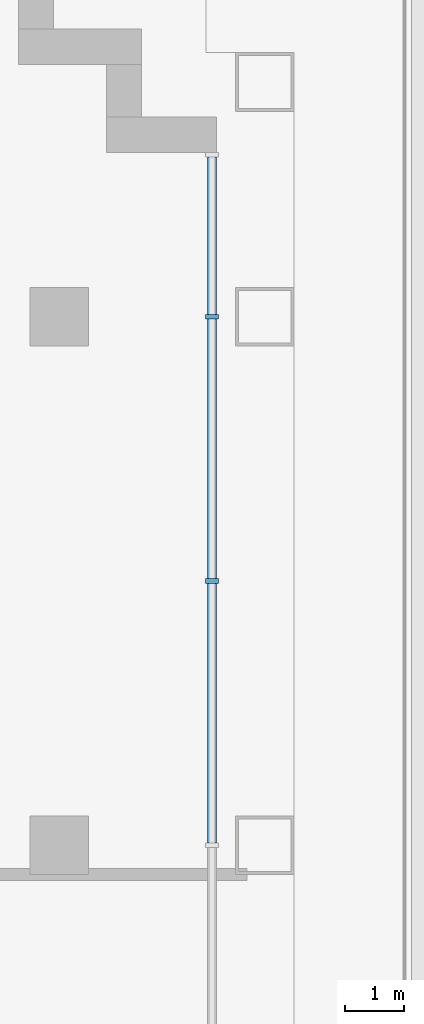
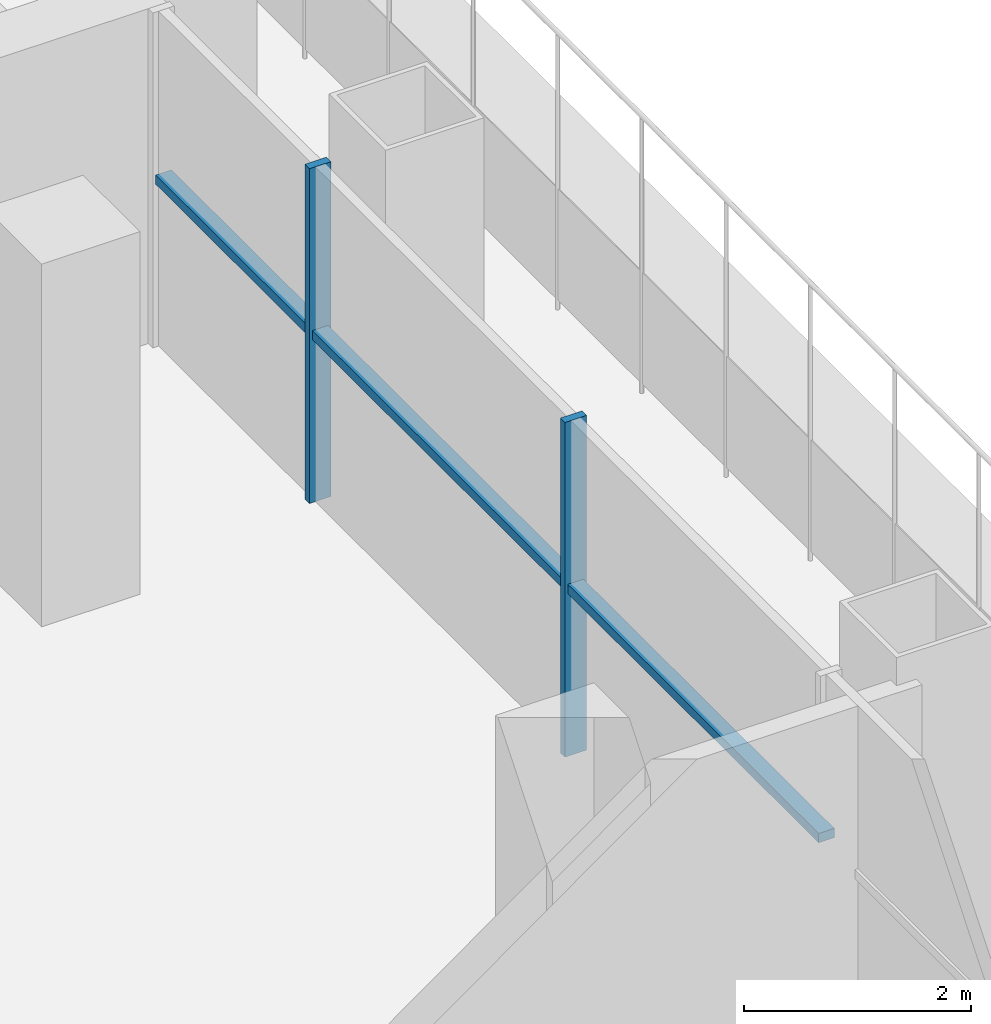
# One storey, part 5 of 16: 5 members, 1 element without a shape of its own.
"""IFC4 building model written with IfcOpenShell, lengths in metres."""

from ifc_helpers import new_model, si_unit, direction, frame, origin, origin_2d, place, context, subcontext, project, spatial, rectangle, extrude, material, material_profile, profile_set, type_object, element, aggregate, save


model = new_model("IFC4")

# Units and contexts
model_context = context("Model", 3, precision=1e-05, world=origin(), true_north=direction((0.0, 1.0)))
body_context = subcontext(model_context, "Body", "Model", "MODEL_VIEW")
ifc_project = project(units=[si_unit("LENGTHUNIT", "METRE"), si_unit("AREAUNIT", "SQUARE_METRE"), si_unit("VOLUMEUNIT", "CUBIC_METRE"), si_unit("PLANEANGLEUNIT", "RADIAN"), si_unit("MASSUNIT", "GRAM", prefix="KILO")], contexts=[model_context])

# Site, building, storey
site_placement = place(None, origin())
site = spatial("IfcSite", under=ifc_project, at=site_placement, CompositionType="ELEMENT")
building_placement = place(site_placement, origin())
building = spatial("IfcBuilding", under=site, at=building_placement, Name="Vidyagriha Tower", CompositionType="ELEMENT")
storey_placement = place(building_placement, frame((0.0, 0.0, 26.0)))
storey = spatial("IfcBuildingStorey", under=building, at=storey_placement, Name="L06", CompositionType="ELEMENT", Elevation=26.0)

# Curtain wall, members
ifc_material_1 = material(Name="Aluminium and glass curtain wall", Category="aluminium")
curtain_wall_type = type_object("IfcCurtainWallType", Name="Plant louvre wall", PredefinedType="USERDEFINED", material=ifc_material_1)
curtain_wall_placement = place(storey_placement, origin())
curtain_wall = element("IfcCurtainWall", 1, at=curtain_wall_placement, inside=storey, type_object=curtain_wall_type, Name="CW7 plant louvre wall", ObjectType="STICK GLAZING", PredefinedType="USERDEFINED")
ifc_material_2 = material(Name="Aluminium black anodised", Category="aluminium")
ifc_material_profile_1 = material_profile(ifc_material_2, rectangle(XDim=0.219970703125, YDim=0.080078125, at=origin_2d()), Name="Mullion 80x220 black aluminium")
ifc_profile_set_1 = profile_set([ifc_material_profile_1], Name="Aluminium black anodised")
member_type_1 = type_object("IfcMemberType", Name="Mullion 80x220 black aluminium", PredefinedType="MULLION", material=ifc_profile_set_1)
member_1_placement = place(storey_placement, frame((36.60009765625, 6.5, 0.0), z_axis=(0.0, 0.0, 1.0), x_axis=(-1.0, 0.0, 0.0)))
member_1 = element("IfcMember", 2, at=member_1_placement, type_object=member_type_1, Name="CW7 mullion 5", PredefinedType="MULLION", context=body_context, shape_type="SweptSolid", body=[
    extrude(rectangle(XDim=0.219970703125, YDim=0.080078125, at=origin_2d()), origin(), (0.0, 0.0, 1.0), 3.60009765625),
])
member_2_placement = place(storey_placement, frame((36.60009765625, 11.0, 0.0), z_axis=(0.0, 0.0, 1.0), x_axis=(-1.0, 0.0, 0.0)))
member_2 = element("IfcMember", 3, at=member_2_placement, type_object=member_type_1, Name="CW7 mullion 6", PredefinedType="MULLION", context=body_context, shape_type="SweptSolid", body=[
    extrude(rectangle(XDim=0.219970703125, YDim=0.080078125, at=origin_2d()), origin(), (0.0, 0.0, 1.0), 3.60009765625),
])
ifc_material_3 = material(Name="Aluminium black anodised", Category="aluminium")
ifc_material_profile_2 = material_profile(ifc_material_3, rectangle(XDim=0.159912109375, YDim=0.10009765625, at=origin_2d()), Name="Transom 100x160 black aluminium")
ifc_profile_set_2 = profile_set([ifc_material_profile_2], Name="Aluminium black anodised")
member_type_2 = type_object("IfcMemberType", Name="Transom 100x160 black aluminium", PredefinedType="USERDEFINED", material=ifc_profile_set_2)
member_3_placement = place(storey_placement, frame((36.60009765625, 2.0400390625, 1.800048828125), z_axis=(0.0, 1.0, 0.0), x_axis=(-1.0, 0.0, 0.0)))
member_3 = element("IfcMember", 4, at=member_3_placement, type_object=member_type_2, Name="CW7 transom 4.1", ObjectType="TRANSOM", PredefinedType="USERDEFINED", context=body_context, shape_type="SweptSolid", body=[
    extrude(rectangle(XDim=0.159912109375, YDim=0.10009765625, at=origin_2d()), origin(), (0.0, 0.0, 1.0), 4.419921875),
])
member_4_placement = place(storey_placement, frame((36.60009765625, 6.5400390625, 1.800048828125), z_axis=(0.0, 1.0, 0.0), x_axis=(-1.0, 0.0, 0.0)))
member_4 = element("IfcMember", 5, at=member_4_placement, type_object=member_type_2, Name="CW7 transom 5.1", ObjectType="TRANSOM", PredefinedType="USERDEFINED", context=body_context, shape_type="SweptSolid", body=[
    extrude(rectangle(XDim=0.159912109375, YDim=0.10009765625, at=origin_2d()), origin(), (0.0, 0.0, 1.0), 4.419921875),
])
member_5_placement = place(storey_placement, frame((36.60009765625, 11.0400390625, 1.800048828125), z_axis=(0.0, 1.0, 0.0), x_axis=(-1.0, 0.0, 0.0)))
member_5 = element("IfcMember", 6, at=member_5_placement, type_object=member_type_2, Name="CW7 transom 6.1", ObjectType="TRANSOM", PredefinedType="USERDEFINED", context=body_context, shape_type="SweptSolid", body=[
    extrude(rectangle(XDim=0.159912109375, YDim=0.10009765625, at=origin_2d()), origin(), (0.0, 0.0, 1.0), 2.679931640625),
])
aggregate(curtain_wall, [member_1, member_2, member_3, member_4, member_5])

save(model, "model.ifc")
